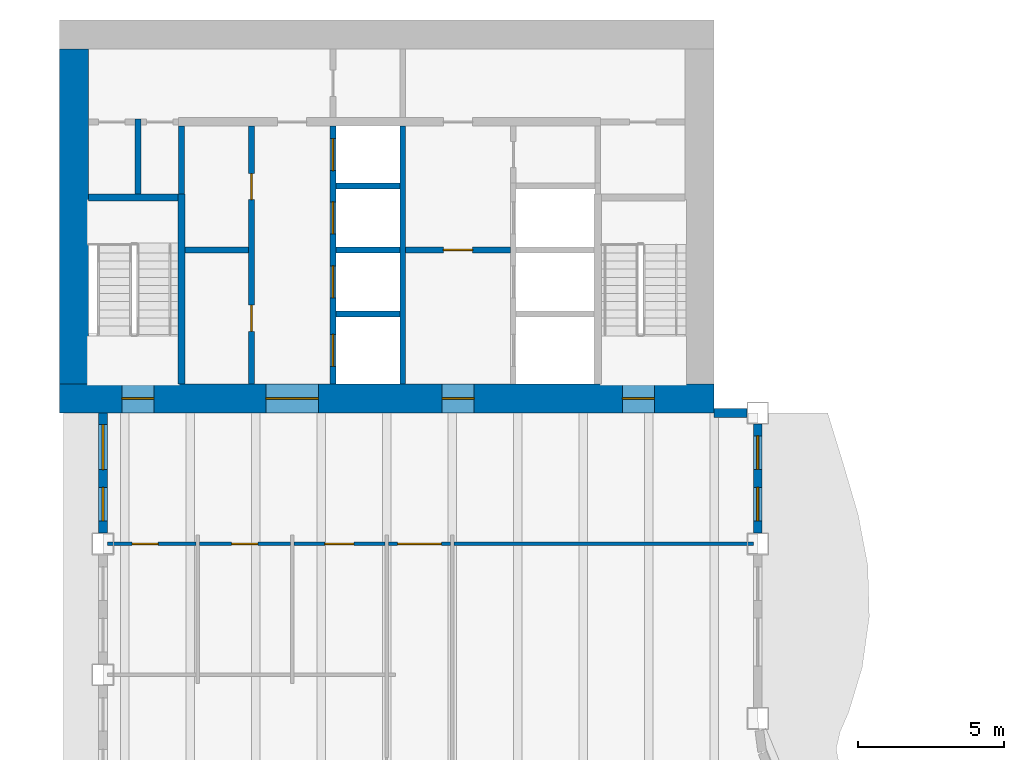
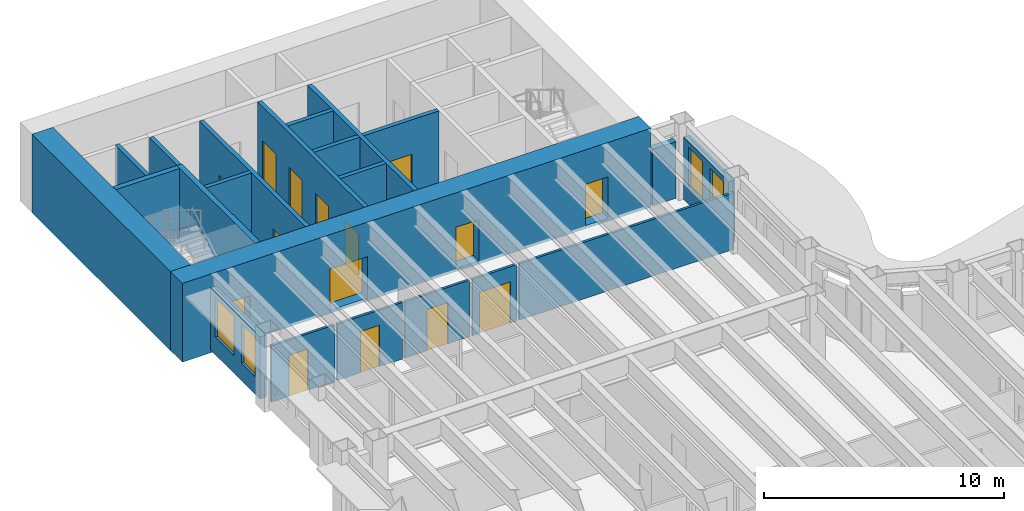
# One storey, part 8 of 16: 22 walls, 15 doors, 4 windows, 19 openings.
"""IFC4 building model written with IfcOpenShell, lengths in metres."""

from ifc_helpers import new_model, si_unit, direction, frame, frame_2d, origin, place, context, subcontext, project, spatial, rectangle, extrude, material, layer, layer_set, type_object, element, fill, save


model = new_model("IFC4")

# Units and contexts
model_context = context("Model", 3, precision=1e-05, world=origin(), true_north=direction((0.0, 1.0)))
body_context = subcontext(model_context, "Body", "Model", "MODEL_VIEW")
ifc_project = project(units=[si_unit("LENGTHUNIT", "METRE"), si_unit("AREAUNIT", "SQUARE_METRE"), si_unit("VOLUMEUNIT", "CUBIC_METRE"), si_unit("PLANEANGLEUNIT", "RADIAN"), si_unit("MASSUNIT", "GRAM", prefix="KILO")], contexts=[model_context])

# Site, building, storey
site_placement = place(None, origin())
site = spatial("IfcSite", under=ifc_project, at=site_placement, CompositionType="ELEMENT")
building_placement = place(site_placement, origin())
building = spatial("IfcBuilding", under=site, at=building_placement, Name="Sennacour Bend Tower", CompositionType="ELEMENT")
storey_placement = place(building_placement, frame((0.0, 0.0, 207.0)))
storey = spatial("IfcBuildingStorey", under=building, at=storey_placement, Name="L47", CompositionType="ELEMENT", Elevation=207.0)

# Wall, openings, doors
ifc_material_1 = material(Name="Concrete C60/75", Category="concrete")
ifc_layer_1 = layer(ifc_material_1, 1.0, Name="Concrete C60/75", Category="concrete")
ifc_layer_set_1 = layer_set([ifc_layer_1], Name="Concrete C60/75")
wall_type_1 = type_object("IfcWallType", Name="Core wall 1000 C60/75", PredefinedType="SHEAR", material=ifc_layer_set_1)
wall_1_placement = place(storey_placement, frame((0.0, 36.5, -0.14990234375), z_axis=(0.0, 0.0, 1.0), x_axis=(1.0, 0.0, 0.0)))
wall_1 = element("IfcWall", 1, at=wall_1_placement, inside=storey, type_object=wall_type_1, Name="Core B wall L47 S", PredefinedType="SHEAR", context=body_context, shape_type="SweptSolid", body=[
    extrude(rectangle(XDim=22.5, YDim=1.0, at=frame_2d((11.25, 0.0))), origin(), (0.0, 0.0, 1.0), 4.0),
])
opening_1_placement = place(wall_1_placement, frame((7.10009765625, 0.0, 0.14990234375)))
opening_1 = element("IfcOpeningElement", 2, at=opening_1_placement, cuts=wall_1, Name="Opening CD", PredefinedType="OPENING", context=body_context, shape_type="SweptSolid", body=[
    extrude(rectangle(XDim=1.800048828125, YDim=2.10009765625, at=frame_2d((0.89990234375, 1.050048828125))), frame((0.0, 0.510009765625, 0.0), z_axis=(0.0, -1.0, 0.0), x_axis=(1.0, 0.0, 0.0)), (0.0, 0.0, 1.0), 1.02001953125),
])
opening_2_placement = place(wall_1_placement, frame((13.14990234375, 0.0, 0.14990234375)))
opening_2 = element("IfcOpeningElement", 3, at=opening_2_placement, cuts=wall_1, Name="Opening FD", PredefinedType="OPENING", context=body_context, shape_type="SweptSolid", body=[
    extrude(rectangle(XDim=1.10009765625, YDim=2.10009765625, at=frame_2d((0.550048828125, 1.050048828125))), frame((0.0, 0.510009765625, 0.0), z_axis=(0.0, -1.0, 0.0), x_axis=(1.0, 0.0, 0.0)), (0.0, 0.0, 1.0), 1.02001953125),
])
opening_3_placement = place(wall_1_placement, frame((2.14990234375, 0.0, 0.14990234375)))
opening_3 = element("IfcOpeningElement", 4, at=opening_3_placement, cuts=wall_1, Name="Opening SD", PredefinedType="OPENING", context=body_context, shape_type="SweptSolid", body=[
    extrude(rectangle(XDim=1.10009765625, YDim=2.10009765625, at=frame_2d((0.550048828125, 1.050048828125))), frame((0.0, 0.510009765625, 0.0), z_axis=(0.0, -1.0, 0.0), x_axis=(1.0, 0.0, 0.0)), (0.0, 0.0, 1.0), 1.02001953125),
])
opening_4_placement = place(wall_1_placement, frame((19.35009765625, 0.0, 0.14990234375)))
opening_4 = element("IfcOpeningElement", 5, at=opening_4_placement, cuts=wall_1, Name="Opening SD", PredefinedType="OPENING", context=body_context, shape_type="SweptSolid", body=[
    extrude(rectangle(XDim=1.10009765625, YDim=2.10009765625, at=frame_2d((0.550048828125, 1.050048828125))), frame((0.0, 0.510009765625, 0.0), z_axis=(0.0, -1.0, 0.0), x_axis=(1.0, 0.0, 0.0)), (0.0, 0.0, 1.0), 1.02001953125),
])
ifc_material_2 = material(Name="Painted steel", Category="steel")
door_type_1 = type_object("IfcDoorType", Name="DR-FFL-1100", OperationType="NOTDEFINED", PredefinedType="DOOR", material=ifc_material_2)
door_1_placement = place(opening_2_placement, origin())
door_1 = element("IfcDoor", 6, at=door_1_placement, inside=storey, type_object=door_type_1, Name="Door", OperationType="SINGLE_SWING_RIGHT", OverallHeight=2.10009765625, OverallWidth=1.10009765625, PredefinedType="DOOR", context=body_context, shape_type="SweptSolid", body=[
    extrude(rectangle(XDim=1.10009765625, YDim=2.10009765625, at=frame_2d((0.550048828125, 1.050048828125))), frame((0.0, 0.02490234375, 0.0), z_axis=(0.0, -1.0, 0.0), x_axis=(1.0, 0.0, 0.0)), (0.0, 0.0, 1.0), 0.050048828125),
])
fill(opening_2, door_1)
door_type_2 = type_object("IfcDoorType", Name="DR-LOBBY-1800", OperationType="NOTDEFINED", PredefinedType="DOOR", material=ifc_material_2)
door_2_placement = place(opening_1_placement, origin())
door_2 = element("IfcDoor", 7, at=door_2_placement, inside=storey, type_object=door_type_2, Name="Door", OperationType="DOUBLE_DOOR_SINGLE_SWING", OverallHeight=2.10009765625, OverallWidth=1.800048828125, PredefinedType="DOOR", context=body_context, shape_type="SweptSolid", body=[
    extrude(rectangle(XDim=1.800048828125, YDim=2.10009765625, at=frame_2d((0.89990234375, 1.050048828125))), frame((0.0, 0.02490234375, 0.0), z_axis=(0.0, -1.0, 0.0), x_axis=(1.0, 0.0, 0.0)), (0.0, 0.0, 1.0), 0.050048828125),
])
fill(opening_1, door_2)
door_type_3 = type_object("IfcDoorType", Name="DR-STAIR-1100", OperationType="NOTDEFINED", PredefinedType="DOOR", material=ifc_material_2)
door_3_placement = place(opening_3_placement, origin())
door_3 = element("IfcDoor", 8, at=door_3_placement, inside=storey, type_object=door_type_3, Name="Door", OperationType="SINGLE_SWING_LEFT", OverallHeight=2.10009765625, OverallWidth=1.10009765625, PredefinedType="DOOR", context=body_context, shape_type="SweptSolid", body=[
    extrude(rectangle(XDim=1.10009765625, YDim=2.10009765625, at=frame_2d((0.550048828125, 1.050048828125))), frame((0.0, 0.02490234375, 0.0), z_axis=(0.0, -1.0, 0.0), x_axis=(1.0, 0.0, 0.0)), (0.0, 0.0, 1.0), 0.050048828125),
])
fill(opening_3, door_3)
door_4_placement = place(opening_4_placement, origin())
door_4 = element("IfcDoor", 9, at=door_4_placement, inside=storey, type_object=door_type_3, Name="Door", OperationType="SINGLE_SWING_RIGHT", OverallHeight=2.10009765625, OverallWidth=1.10009765625, PredefinedType="DOOR", context=body_context, shape_type="SweptSolid", body=[
    extrude(rectangle(XDim=1.10009765625, YDim=2.10009765625, at=frame_2d((0.550048828125, 1.050048828125))), frame((0.0, 0.02490234375, 0.0), z_axis=(0.0, -1.0, 0.0), x_axis=(1.0, 0.0, 0.0)), (0.0, 0.0, 1.0), 0.050048828125),
])
fill(opening_4, door_4)

# Wall
wall_2_placement = place(storey_placement, frame((0.5, 37.0, -0.14990234375), z_axis=(0.0, 0.0, 1.0), x_axis=(0.0, 1.0, 0.0)))
element("IfcWall", 10, at=wall_2_placement, inside=storey, type_object=wall_type_1, Name="Core B wall L47 W", PredefinedType="SHEAR", context=body_context, shape_type="SweptSolid", body=[
    extrude(rectangle(XDim=11.5, YDim=1.0, at=frame_2d((5.75, 0.0))), origin(), (0.0, 0.0, 1.0), 4.0),
])

# Wall, opening, door
ifc_material_3 = material(Name="Plasterboard partition on steel studs", Category="steel")
ifc_layer_2 = layer(ifc_material_3, 0.1201171875, Name="Plasterboard partition on steel studs", Category="steel")
ifc_layer_set_2 = layer_set([ifc_layer_2], Name="Plasterboard partition on steel studs")
wall_type_2 = type_object("IfcWallType", Name="Partition 120", PredefinedType="PARTITIONING", material=ifc_layer_set_2)
wall_3_placement = place(storey_placement, frame((1.64990234375, 31.5, 0.0), z_axis=(0.0, 0.0, 1.0), x_axis=(1.0, 0.0, 0.0)))
wall_3 = element("IfcWall", 11, at=wall_3_placement, inside=storey, type_object=wall_type_2, Name="P-L47-W081aa", PredefinedType="PARTITIONING", context=body_context, shape_type="SweptSolid", body=[
    extrude(rectangle(XDim=3.0400390625, YDim=0.1201171875, at=frame_2d((1.52001953125, 0.0))), origin(), (0.0, 0.0, 1.0), 2.8701171875),
])
opening_5_placement = place(wall_3_placement, frame((0.85009765625, 0.0, 0.0)))
opening_5 = element("IfcOpeningElement", 12, at=opening_5_placement, cuts=wall_3, Name="Opening WD", PredefinedType="OPENING", context=body_context, shape_type="SweptSolid", body=[
    extrude(rectangle(XDim=0.89990234375, YDim=2.10009765625, at=frame_2d((0.449951171875, 1.050048828125))), frame((0.0, 0.070068359375, 0.0), z_axis=(0.0, -1.0, 0.0), x_axis=(1.0, 0.0, 0.0)), (0.0, 0.0, 1.0), 0.14013671875),
])
ifc_material_4 = material(Name="Timber", Category="wood")
door_type_4 = type_object("IfcDoorType", Name="DR-WC-900", OperationType="NOTDEFINED", PredefinedType="DOOR", material=ifc_material_4)
door_5_placement = place(opening_5_placement, origin())
door_5 = element("IfcDoor", 13, at=door_5_placement, inside=storey, type_object=door_type_4, Name="Door", OperationType="SINGLE_SWING_LEFT", OverallHeight=2.10009765625, OverallWidth=0.89990234375, PredefinedType="DOOR", context=body_context, shape_type="SweptSolid", body=[
    extrude(rectangle(XDim=0.89990234375, YDim=2.10009765625, at=frame_2d((0.449951171875, 1.050048828125))), frame((0.0, 0.02490234375, 0.0), z_axis=(0.0, -1.0, 0.0), x_axis=(1.0, 0.0, 0.0)), (0.0, 0.0, 1.0), 0.050048828125),
])
fill(opening_5, door_5)

wall_4_placement = place(storey_placement, frame((4.81005859375, 31.5, 0.0), z_axis=(0.0, 0.0, 1.0), x_axis=(1.0, 0.0, 0.0)))
wall_4 = element("IfcWall", 14, at=wall_4_placement, inside=storey, type_object=wall_type_2, Name="P-L47-W081ab", PredefinedType="PARTITIONING", context=body_context, shape_type="SweptSolid", body=[
    extrude(rectangle(XDim=3.1298828125, YDim=0.1201171875, at=frame_2d((1.56494140625, 0.0))), origin(), (0.0, 0.0, 1.0), 2.8701171875),
])
opening_6_placement = place(wall_4_placement, frame((1.114990234375, 0.0, 0.0)))
opening_6 = element("IfcOpeningElement", 15, at=opening_6_placement, cuts=wall_4, Name="Opening WD", PredefinedType="OPENING", context=body_context, shape_type="SweptSolid", body=[
    extrude(rectangle(XDim=0.89990234375, YDim=2.10009765625, at=frame_2d((0.449951171875, 1.050048828125))), frame((0.0, 0.070068359375, 0.0), z_axis=(0.0, -1.0, 0.0), x_axis=(1.0, 0.0, 0.0)), (0.0, 0.0, 1.0), 0.14013671875),
])
door_6_placement = place(opening_6_placement, origin())
door_6 = element("IfcDoor", 16, at=door_6_placement, inside=storey, type_object=door_type_4, Name="Door", OperationType="SINGLE_SWING_LEFT", OverallHeight=2.10009765625, OverallWidth=0.89990234375, PredefinedType="DOOR", context=body_context, shape_type="SweptSolid", body=[
    extrude(rectangle(XDim=0.89990234375, YDim=2.10009765625, at=frame_2d((0.449951171875, 1.050048828125))), frame((0.0, 0.02490234375, 0.0), z_axis=(0.0, -1.0, 0.0), x_axis=(1.0, 0.0, 0.0)), (0.0, 0.0, 1.0), 0.050048828125),
])
fill(opening_6, door_6)

wall_5_placement = place(storey_placement, frame((8.06005859375, 31.5, 0.0), z_axis=(0.0, 0.0, 1.0), x_axis=(1.0, 0.0, 0.0)))
wall_5 = element("IfcWall", 17, at=wall_5_placement, inside=storey, type_object=wall_type_2, Name="P-L47-W081ac", PredefinedType="PARTITIONING", context=body_context, shape_type="SweptSolid", body=[
    extrude(rectangle(XDim=3.1298828125, YDim=0.1201171875, at=frame_2d((1.56494140625, 0.0))), origin(), (0.0, 0.0, 1.0), 2.8701171875),
])
opening_7_placement = place(wall_5_placement, frame((1.06494140625, 0.0, 0.0)))
opening_7 = element("IfcOpeningElement", 18, at=opening_7_placement, cuts=wall_5, Name="Opening AD", PredefinedType="OPENING", context=body_context, shape_type="SweptSolid", body=[
    extrude(rectangle(XDim=1.0, YDim=2.10009765625, at=frame_2d((0.5, 1.050048828125))), frame((0.0, 0.070068359375, 0.0), z_axis=(0.0, -1.0, 0.0), x_axis=(1.0, 0.0, 0.0)), (0.0, 0.0, 1.0), 0.14013671875),
])
door_type_5 = type_object("IfcDoorType", Name="DR-ACC-WC-1000", OperationType="NOTDEFINED", PredefinedType="DOOR", material=ifc_material_4)
door_7_placement = place(opening_7_placement, origin())
door_7 = element("IfcDoor", 19, at=door_7_placement, inside=storey, type_object=door_type_5, Name="Door", OperationType="SINGLE_SWING_LEFT", OverallHeight=2.10009765625, OverallWidth=1.0, PredefinedType="DOOR", context=body_context, shape_type="SweptSolid", body=[
    extrude(rectangle(XDim=1.0, YDim=2.10009765625, at=frame_2d((0.5, 1.050048828125))), frame((0.0, 0.02490234375, 0.0), z_axis=(0.0, -1.0, 0.0), x_axis=(1.0, 0.0, 0.0)), (0.0, 0.0, 1.0), 0.050048828125),
])
fill(opening_7, door_7)

# Wall
wall_6_placement = place(storey_placement, frame((13.56005859375, 31.5, 0.0), z_axis=(0.0, 0.0, 1.0), x_axis=(1.0, 0.0, 0.0)))
element("IfcWall", 20, at=wall_6_placement, inside=storey, type_object=wall_type_2, Name="P-L47-W081ae", PredefinedType="PARTITIONING", context=body_context, shape_type="SweptSolid", body=[
    extrude(rectangle(XDim=10.2900390625, YDim=0.1201171875, at=frame_2d((5.14501953125, 0.0))), origin(), (0.0, 0.0, 1.0), 2.8701171875),
])

# Wall, opening, door
ifc_layer_3 = layer(ifc_material_3, 0.1201171875, Name="Plasterboard partition on steel studs", Category="steel")
ifc_layer_set_3 = layer_set([ifc_layer_3], Name="Plasterboard partition on steel studs")
wall_type_3 = type_object("IfcWallType", Name="Partition 120 EI 30", PredefinedType="PARTITIONING", material=ifc_layer_set_3)
wall_7_placement = place(storey_placement, frame((11.31005859375, 31.5, 0.0), z_axis=(0.0, 0.0, 1.0), x_axis=(1.0, 0.0, 0.0)))
wall_7 = element("IfcWall", 21, at=wall_7_placement, inside=storey, type_object=wall_type_3, Name="P-L47-W081ad", PredefinedType="PARTITIONING", context=body_context, shape_type="SweptSolid", body=[
    extrude(rectangle(XDim=2.1298828125, YDim=0.1201171875, at=frame_2d((1.06494140625, 0.0))), origin(), (0.0, 0.0, 1.0), 2.8701171875),
])
opening_8_placement = place(wall_7_placement, frame((0.31494140625, 0.0, 0.0)))
opening_8 = element("IfcOpeningElement", 22, at=opening_8_placement, cuts=wall_7, Name="Opening KD", PredefinedType="OPENING", context=body_context, shape_type="SweptSolid", body=[
    extrude(rectangle(XDim=1.5, YDim=2.10009765625, at=frame_2d((0.75, 1.050048828125))), frame((0.0, 0.070068359375, 0.0), z_axis=(0.0, -1.0, 0.0), x_axis=(1.0, 0.0, 0.0)), (0.0, 0.0, 1.0), 0.14013671875),
])
door_type_6 = type_object("IfcDoorType", Name="DR-CORRIDOR-1500", OperationType="NOTDEFINED", PredefinedType="DOOR", material=ifc_material_2)
door_8_placement = place(opening_8_placement, origin())
door_8 = element("IfcDoor", 23, at=door_8_placement, inside=storey, type_object=door_type_6, Name="Door", OperationType="SINGLE_SWING_LEFT", OverallHeight=2.10009765625, OverallWidth=1.5, PredefinedType="DOOR", context=body_context, shape_type="SweptSolid", body=[
    extrude(rectangle(XDim=1.5, YDim=2.10009765625, at=frame_2d((0.75, 1.050048828125))), frame((0.0, 0.02490234375, 0.0), z_axis=(0.0, -1.0, 0.0), x_axis=(1.0, 0.0, 0.0)), (0.0, 0.0, 1.0), 0.050048828125),
])
fill(opening_8, door_8)

# Walls
ifc_material_5 = material(Name="Fire-rated plasterboard partition on steel studs", Category="steel")
ifc_layer_4 = layer(ifc_material_5, 0.199951171875, Name="Fire-rated plasterboard partition on steel studs", Category="steel")
ifc_layer_set_4 = layer_set([ifc_layer_4], Name="Fire-rated plasterboard partition on steel studs")
wall_type_4 = type_object("IfcWallType", Name="Rated partition 200", PredefinedType="PARTITIONING", material=ifc_layer_set_4)
wall_8_placement = place(storey_placement, frame((2.699951171875, 43.52490234375, 0.0), z_axis=(0.0, 0.0, 1.0), x_axis=(0.0, 1.0, 0.0)))
element("IfcWall", 24, at=wall_8_placement, inside=storey, type_object=wall_type_4, Name="P-L47-W004", PredefinedType="PARTITIONING", context=body_context, shape_type="SweptSolid", body=[
    extrude(rectangle(XDim=2.5751953125, YDim=0.199951171875, at=frame_2d((1.28759765625, 0.0))), origin(), (0.0, 0.0, 1.0), 3.85009765625),
])
wall_9_placement = place(storey_placement, frame((4.199951171875, 43.52490234375, 0.0), z_axis=(0.0, 0.0, 1.0), x_axis=(0.0, 1.0, 0.0)))
element("IfcWall", 25, at=wall_9_placement, inside=storey, type_object=wall_type_4, Name="P-L47-W006", PredefinedType="PARTITIONING", context=body_context, shape_type="SweptSolid", body=[
    extrude(rectangle(XDim=2.3251953125, YDim=0.199951171875, at=frame_2d((1.16259765625, 0.0))), origin(), (0.0, 0.0, 1.0), 3.85009765625),
])

# Wall, openings, doors
wall_10_placement = place(storey_placement, frame((6.60009765625, 37.0, 0.0), z_axis=(0.0, 0.0, 1.0), x_axis=(0.0, 1.0, 0.0)))
wall_10 = element("IfcWall", 26, at=wall_10_placement, inside=storey, type_object=wall_type_4, Name="P-L47-W008", PredefinedType="PARTITIONING", context=body_context, shape_type="SweptSolid", body=[
    extrude(rectangle(XDim=8.85009765625, YDim=0.199951171875, at=frame_2d((4.425048828125, 0.0))), origin(), (0.0, 0.0, 1.0), 3.85009765625),
])
opening_9_placement = place(wall_10_placement, frame((1.800048828125, 0.0, 0.0)))
opening_9 = element("IfcOpeningElement", 27, at=opening_9_placement, cuts=wall_10, Name="Opening SV", PredefinedType="OPENING", context=body_context, shape_type="SweptSolid", body=[
    extrude(rectangle(XDim=0.89990234375, YDim=2.10009765625, at=frame_2d((0.449951171875, 1.050048828125))), frame((0.0, 0.10986328125, 0.0), z_axis=(0.0, -1.0, 0.0), x_axis=(1.0, 0.0, 0.0)), (0.0, 0.0, 1.0), 0.219970703125),
])
opening_10_placement = place(wall_10_placement, frame((6.324951171875, 0.0, 0.0)))
opening_10 = element("IfcOpeningElement", 28, at=opening_10_placement, cuts=wall_10, Name="Opening SV", PredefinedType="OPENING", context=body_context, shape_type="SweptSolid", body=[
    extrude(rectangle(XDim=0.89990234375, YDim=2.10009765625, at=frame_2d((0.449951171875, 1.050048828125))), frame((0.0, 0.10986328125, 0.0), z_axis=(0.0, -1.0, 0.0), x_axis=(1.0, 0.0, 0.0)), (0.0, 0.0, 1.0), 0.219970703125),
])
door_type_7 = type_object("IfcDoorType", Name="DR-SERVICE-900", OperationType="NOTDEFINED", PredefinedType="DOOR", material=ifc_material_2)
door_9_placement = place(opening_9_placement, origin())
door_9 = element("IfcDoor", 29, at=door_9_placement, inside=storey, type_object=door_type_7, Name="Door", OperationType="SINGLE_SWING_LEFT", OverallHeight=2.10009765625, OverallWidth=0.89990234375, PredefinedType="DOOR", context=body_context, shape_type="SweptSolid", body=[
    extrude(rectangle(XDim=0.89990234375, YDim=2.10009765625, at=frame_2d((0.449951171875, 1.050048828125))), frame((0.0, 0.02490234375, 0.0), z_axis=(0.0, -1.0, 0.0), x_axis=(1.0, 0.0, 0.0)), (0.0, 0.0, 1.0), 0.050048828125),
])
fill(opening_9, door_9)
door_10_placement = place(opening_10_placement, origin())
door_10 = element("IfcDoor", 30, at=door_10_placement, inside=storey, type_object=door_type_7, Name="Door", OperationType="SINGLE_SWING_RIGHT", OverallHeight=2.10009765625, OverallWidth=0.89990234375, PredefinedType="DOOR", context=body_context, shape_type="SweptSolid", body=[
    extrude(rectangle(XDim=0.89990234375, YDim=2.10009765625, at=frame_2d((0.449951171875, 1.050048828125))), frame((0.0, 0.02490234375, 0.0), z_axis=(0.0, -1.0, 0.0), x_axis=(1.0, 0.0, 0.0)), (0.0, 0.0, 1.0), 0.050048828125),
])
fill(opening_10, door_10)

# Wall
wall_11_placement = place(storey_placement, frame((4.324951171875, 41.60009765625, 0.0), z_axis=(0.0, 0.0, 1.0), x_axis=(1.0, 0.0, 0.0)))
element("IfcWall", 31, at=wall_11_placement, inside=storey, type_object=wall_type_4, Name="P-L47-W085", PredefinedType="PARTITIONING", context=body_context, shape_type="SweptSolid", body=[
    extrude(rectangle(XDim=2.175048828125, YDim=0.199951171875, at=frame_2d((1.08740234375, 0.0))), origin(), (0.0, 0.0, 1.0), 3.85009765625),
])

# Wall, opening, door
ifc_layer_5 = layer(ifc_material_5, 0.199951171875, Name="Fire-rated plasterboard partition on steel studs", Category="steel")
ifc_layer_set_5 = layer_set([ifc_layer_5], Name="Fire-rated plasterboard partition on steel studs")
wall_type_5 = type_object("IfcWallType", Name="Rated partition 200 EI 90", PredefinedType="PARTITIONING", material=ifc_layer_set_5)
wall_12_placement = place(storey_placement, frame((11.89990234375, 41.60009765625, 0.0), z_axis=(0.0, 0.0, 1.0), x_axis=(1.0, 0.0, 0.0)))
wall_12 = element("IfcWall", 32, at=wall_12_placement, inside=storey, type_object=wall_type_5, Name="P-L47-W087", PredefinedType="PARTITIONING", context=body_context, shape_type="SweptSolid", body=[
    extrude(rectangle(XDim=3.60009765625, YDim=0.199951171875, at=frame_2d((1.800048828125, 0.0))), origin(), (0.0, 0.0, 1.0), 3.85009765625),
])
opening_11_placement = place(wall_12_placement, frame((1.300048828125, 0.0, 0.0)))
opening_11 = element("IfcOpeningElement", 33, at=opening_11_placement, cuts=wall_12, Name="Opening FD2", PredefinedType="OPENING", context=body_context, shape_type="SweptSolid", body=[
    extrude(rectangle(XDim=1.0, YDim=2.10009765625, at=frame_2d((0.5, 1.050048828125))), frame((0.0, 0.10986328125, 0.0), z_axis=(0.0, -1.0, 0.0), x_axis=(1.0, 0.0, 0.0)), (0.0, 0.0, 1.0), 0.219970703125),
])
door_type_8 = type_object("IfcDoorType", Name="DR-FFL-1000", OperationType="NOTDEFINED", PredefinedType="DOOR", material=ifc_material_2)
door_11_placement = place(opening_11_placement, origin())
door_11 = element("IfcDoor", 34, at=door_11_placement, inside=storey, type_object=door_type_8, Name="Door", OperationType="SINGLE_SWING_RIGHT", OverallHeight=2.10009765625, OverallWidth=1.0, PredefinedType="DOOR", context=body_context, shape_type="SweptSolid", body=[
    extrude(rectangle(XDim=1.0, YDim=2.10009765625, at=frame_2d((0.5, 1.050048828125))), frame((0.0, 0.02490234375, 0.0), z_axis=(0.0, -1.0, 0.0), x_axis=(1.0, 0.0, 0.0)), (0.0, 0.0, 1.0), 0.050048828125),
])
fill(opening_11, door_11)

# Wall, openings, windows
ifc_material_6 = material(Name="Warm limestone cladding", Category="masonry")
ifc_layer_6 = layer(ifc_material_6, 0.050048828125, Name="Warm limestone cladding", Category="masonry")
ifc_material_7 = material(Name="Precast concrete C40/50", Category="concrete")
ifc_layer_7 = layer(ifc_material_7, 0.25, Name="Precast concrete C40/50", Category="concrete")
ifc_layer_set_6 = layer_set([ifc_layer_6, ifc_layer_7], Name="Precast concrete C40/50 with limestone cladding")
wall_type_6 = type_object("IfcWallType", Name="STONE-CLAD PRECAST SPANDREL 300", PredefinedType="STANDARD", material=ifc_layer_set_6)
wall_13_placement = place(storey_placement, frame((24.0, 31.875, 0.0), z_axis=(0.0, 0.0, 1.0), x_axis=(0.0, 1.0, 0.0)))
wall_13 = element("IfcWall", 35, at=wall_13_placement, inside=storey, type_object=wall_type_6, Name="Stone spandrel and pier wall L47 13.01", PredefinedType="STANDARD", context=body_context, shape_type="SweptSolid", body=[
    extrude(rectangle(XDim=3.75, YDim=0.300048828125, at=frame_2d((1.875, 0.0))), origin(), (0.0, 0.0, 1.0), 3.156982421875),
])
opening_12_placement = place(wall_13_placement, frame((0.41259765625, 0.0, 0.89990234375)))
opening_12 = element("IfcOpeningElement", 36, at=opening_12_placement, cuts=wall_13, Name="Opening W24", PredefinedType="OPENING", context=body_context, shape_type="SweptSolid", body=[
    extrude(rectangle(XDim=1.14990234375, YDim=2.0, at=frame_2d((0.574951171875, 1.0))), frame((0.0, 0.16015625, 0.0), z_axis=(0.0, -1.0, 0.0), x_axis=(1.0, 0.0, 0.0)), (0.0, 0.0, 1.0), 0.320068359375),
])
opening_13_placement = place(wall_13_placement, frame((2.1875, 0.0, 0.89990234375)))
opening_13 = element("IfcOpeningElement", 37, at=opening_13_placement, cuts=wall_13, Name="Opening W24", PredefinedType="OPENING", context=body_context, shape_type="SweptSolid", body=[
    extrude(rectangle(XDim=1.14990234375, YDim=2.0, at=frame_2d((0.574951171875, 1.0))), frame((0.0, 0.16015625, 0.0), z_axis=(0.0, -1.0, 0.0), x_axis=(1.0, 0.0, 0.0)), (0.0, 0.0, 1.0), 0.320068359375),
])
ifc_material_8 = material(Name="Clear low-emissivity glass", Category="glass")
window_type_1 = type_object("IfcWindowType", Name="WIN-RIBBON-1150x2000", PartitioningType="SINGLE_PANEL", PredefinedType="WINDOW", material=ifc_material_8)
window_1_placement = place(opening_12_placement, origin())
window_1 = element("IfcWindow", 38, at=window_1_placement, inside=storey, type_object=window_type_1, Name="Ribbon window L47 13.01.0", OverallHeight=2.0, OverallWidth=1.14990234375, PartitioningType="SINGLE_PANEL", PredefinedType="WINDOW", context=body_context, shape_type="SweptSolid", body=[
    extrude(rectangle(XDim=1.14990234375, YDim=2.0, at=frame_2d((0.574951171875, 1.0))), frame((0.0, 0.030029296875, 0.0), z_axis=(0.0, -1.0, 0.0), x_axis=(1.0, 0.0, 0.0)), (0.0, 0.0, 1.0), 0.06005859375),
])
fill(opening_12, window_1)
window_2_placement = place(opening_13_placement, origin())
window_2 = element("IfcWindow", 39, at=window_2_placement, inside=storey, type_object=window_type_1, Name="Ribbon window L47 13.01.1", OverallHeight=2.0, OverallWidth=1.14990234375, PartitioningType="SINGLE_PANEL", PredefinedType="WINDOW", context=body_context, shape_type="SweptSolid", body=[
    extrude(rectangle(XDim=1.14990234375, YDim=2.0, at=frame_2d((0.574951171875, 1.0))), frame((0.0, 0.030029296875, 0.0), z_axis=(0.0, -1.0, 0.0), x_axis=(1.0, 0.0, 0.0)), (0.0, 0.0, 1.0), 0.06005859375),
])
fill(opening_13, window_2)

# Wall
wall_14_placement = place(storey_placement, frame((23.625, 36.0, 0.0), z_axis=(0.0, 0.0, 1.0), x_axis=(-1.0, 0.0, 0.0)))
element("IfcWall", 40, at=wall_14_placement, inside=storey, type_object=wall_type_6, Name="Stone spandrel and pier wall L47 14.00", PredefinedType="STANDARD", context=body_context, shape_type="SweptSolid", body=[
    extrude(rectangle(XDim=1.125, YDim=0.300048828125, at=frame_2d((0.5625, 0.0))), origin(), (0.0, 0.0, 1.0), 2.8701171875),
])

# Wall, openings, windows
wall_15_placement = place(storey_placement, frame((1.5, 36.0, 0.0), z_axis=(0.0, 0.0, 1.0), x_axis=(0.0, -1.0, 0.0)))
wall_15 = element("IfcWall", 41, at=wall_15_placement, inside=storey, type_object=wall_type_6, Name="Stone spandrel and pier wall L47 19.00", PredefinedType="STANDARD", context=body_context, shape_type="SweptSolid", body=[
    extrude(rectangle(XDim=4.125, YDim=0.300048828125, at=frame_2d((2.0625, 0.0))), origin(), (0.0, 0.0, 1.0), 3.156982421875),
])
opening_14_placement = place(wall_15_placement, frame((0.39990234375, 0.0, 0.89990234375)))
opening_14 = element("IfcOpeningElement", 42, at=opening_14_placement, cuts=wall_15, Name="Opening W9", PredefinedType="OPENING", context=body_context, shape_type="SweptSolid", body=[
    extrude(rectangle(XDim=1.550048828125, YDim=2.0, at=frame_2d((0.77490234375, 1.0))), frame((0.0, 0.16015625, 0.0), z_axis=(0.0, -1.0, 0.0), x_axis=(1.0, 0.0, 0.0)), (0.0, 0.0, 1.0), 0.320068359375),
])
opening_15_placement = place(wall_15_placement, frame((2.5625, 0.0, 0.89990234375)))
opening_15 = element("IfcOpeningElement", 43, at=opening_15_placement, cuts=wall_15, Name="Opening W24", PredefinedType="OPENING", context=body_context, shape_type="SweptSolid", body=[
    extrude(rectangle(XDim=1.14990234375, YDim=2.0, at=frame_2d((0.574951171875, 1.0))), frame((0.0, 0.16015625, 0.0), z_axis=(0.0, -1.0, 0.0), x_axis=(1.0, 0.0, 0.0)), (0.0, 0.0, 1.0), 0.320068359375),
])
window_3_placement = place(opening_15_placement, origin())
window_3 = element("IfcWindow", 44, at=window_3_placement, inside=storey, type_object=window_type_1, Name="Ribbon window L47 19.00.1", OverallHeight=2.0, OverallWidth=1.14990234375, PartitioningType="SINGLE_PANEL", PredefinedType="WINDOW", context=body_context, shape_type="SweptSolid", body=[
    extrude(rectangle(XDim=1.14990234375, YDim=2.0, at=frame_2d((0.574951171875, 1.0))), frame((0.0, 0.030029296875, 0.0), z_axis=(0.0, -1.0, 0.0), x_axis=(1.0, 0.0, 0.0)), (0.0, 0.0, 1.0), 0.06005859375),
])
fill(opening_15, window_3)
window_type_2 = type_object("IfcWindowType", Name="WIN-RIBBON-1550x2000", PartitioningType="SINGLE_PANEL", PredefinedType="WINDOW", material=ifc_material_8)
window_4_placement = place(opening_14_placement, origin())
window_4 = element("IfcWindow", 45, at=window_4_placement, inside=storey, type_object=window_type_2, Name="Ribbon window L47 19.00.0", OverallHeight=2.0, OverallWidth=1.550048828125, PartitioningType="SINGLE_PANEL", PredefinedType="WINDOW", context=body_context, shape_type="SweptSolid", body=[
    extrude(rectangle(XDim=1.550048828125, YDim=2.0, at=frame_2d((0.77490234375, 1.0))), frame((0.0, 0.030029296875, 0.0), z_axis=(0.0, -1.0, 0.0), x_axis=(1.0, 0.0, 0.0)), (0.0, 0.0, 1.0), 0.06005859375),
])
fill(opening_14, window_4)

# Wall, openings, doors
ifc_material_9 = material(Name="Concrete C50/60", Category="concrete")
ifc_layer_8 = layer(ifc_material_9, 0.199951171875, Name="Concrete C50/60", Category="concrete")
ifc_layer_set_7 = layer_set([ifc_layer_8], Name="Concrete C50/60")
wall_type_7 = type_object("IfcWallType", Name="Shaft wall 200", PredefinedType="SOLIDWALL", material=ifc_layer_set_7)
wall_16_placement = place(storey_placement, frame((9.39990234375, 37.0, 0.0), z_axis=(0.0, 0.0, 1.0), x_axis=(0.0, 1.0, 0.0)))
wall_16 = element("IfcWall", 46, at=wall_16_placement, inside=storey, type_object=wall_type_7, Name="P-L47-W013", PredefinedType="SOLIDWALL", context=body_context, shape_type="SweptSolid", body=[
    extrude(rectangle(XDim=8.85009765625, YDim=0.199951171875, at=frame_2d((4.425048828125, 0.0))), origin(), (0.0, 0.0, 1.0), 3.85009765625),
])
opening_16_placement = place(wall_16_placement, frame((0.60009765625, 0.0, 0.011962890625)))
opening_16 = element("IfcOpeningElement", 47, at=opening_16_placement, cuts=wall_16, Name="Opening LD", PredefinedType="OPENING", context=body_context, shape_type="SweptSolid", body=[
    extrude(rectangle(XDim=1.10009765625, YDim=2.10009765625, at=frame_2d((0.550048828125, 1.050048828125))), frame((0.0, 0.10986328125, 0.0), z_axis=(0.0, -1.0, 0.0), x_axis=(1.0, 0.0, 0.0)), (0.0, 0.0, 1.0), 0.219970703125),
])
opening_17_placement = place(wall_16_placement, frame((2.949951171875, 0.0, 0.011962890625)))
opening_17 = element("IfcOpeningElement", 48, at=opening_17_placement, cuts=wall_16, Name="Opening LD", PredefinedType="OPENING", context=body_context, shape_type="SweptSolid", body=[
    extrude(rectangle(XDim=1.10009765625, YDim=2.10009765625, at=frame_2d((0.550048828125, 1.050048828125))), frame((0.0, 0.10986328125, 0.0), z_axis=(0.0, -1.0, 0.0), x_axis=(1.0, 0.0, 0.0)), (0.0, 0.0, 1.0), 0.219970703125),
])
opening_18_placement = place(wall_16_placement, frame((5.14990234375, 0.0, 0.011962890625)))
opening_18 = element("IfcOpeningElement", 49, at=opening_18_placement, cuts=wall_16, Name="Opening LD", PredefinedType="OPENING", context=body_context, shape_type="SweptSolid", body=[
    extrude(rectangle(XDim=1.10009765625, YDim=2.10009765625, at=frame_2d((0.550048828125, 1.050048828125))), frame((0.0, 0.10986328125, 0.0), z_axis=(0.0, -1.0, 0.0), x_axis=(1.0, 0.0, 0.0)), (0.0, 0.0, 1.0), 0.219970703125),
])
opening_19_placement = place(wall_16_placement, frame((7.324951171875, 0.0, 0.011962890625)))
opening_19 = element("IfcOpeningElement", 50, at=opening_19_placement, cuts=wall_16, Name="Opening LD", PredefinedType="OPENING", context=body_context, shape_type="SweptSolid", body=[
    extrude(rectangle(XDim=1.10009765625, YDim=2.10009765625, at=frame_2d((0.550048828125, 1.050048828125))), frame((0.0, 0.10986328125, 0.0), z_axis=(0.0, -1.0, 0.0), x_axis=(1.0, 0.0, 0.0)), (0.0, 0.0, 1.0), 0.219970703125),
])
ifc_material_10 = material(Name="Stainless steel", Category="steel")
door_type_9 = type_object("IfcDoorType", Name="DR-LANDING-1100", OperationType="NOTDEFINED", PredefinedType="DOOR", material=ifc_material_10)
door_12_placement = place(opening_16_placement, origin())
door_12 = element("IfcDoor", 51, at=door_12_placement, inside=storey, type_object=door_type_9, Name="Lift landing door MB1", OperationType="SLIDING_TO_RIGHT", OverallHeight=2.10009765625, OverallWidth=1.10009765625, PredefinedType="DOOR", context=body_context, shape_type="SweptSolid", body=[
    extrude(rectangle(XDim=1.10009765625, YDim=2.10009765625, at=frame_2d((0.550048828125, 1.050048828125))), frame((0.0, 0.02490234375, 0.0), z_axis=(0.0, -1.0, 0.0), x_axis=(1.0, 0.0, 0.0)), (0.0, 0.0, 1.0), 0.050048828125),
])
fill(opening_16, door_12)
door_13_placement = place(opening_17_placement, origin())
door_13 = element("IfcDoor", 52, at=door_13_placement, inside=storey, type_object=door_type_9, Name="Lift landing door MB2", OperationType="SLIDING_TO_LEFT", OverallHeight=2.10009765625, OverallWidth=1.10009765625, PredefinedType="DOOR", context=body_context, shape_type="SweptSolid", body=[
    extrude(rectangle(XDim=1.10009765625, YDim=2.10009765625, at=frame_2d((0.550048828125, 1.050048828125))), frame((0.0, 0.02490234375, 0.0), z_axis=(0.0, -1.0, 0.0), x_axis=(1.0, 0.0, 0.0)), (0.0, 0.0, 1.0), 0.050048828125),
])
fill(opening_17, door_13)
door_14_placement = place(opening_18_placement, origin())
door_14 = element("IfcDoor", 53, at=door_14_placement, inside=storey, type_object=door_type_9, Name="Lift landing door MB3", OperationType="SLIDING_TO_RIGHT", OverallHeight=2.10009765625, OverallWidth=1.10009765625, PredefinedType="DOOR", context=body_context, shape_type="SweptSolid", body=[
    extrude(rectangle(XDim=1.10009765625, YDim=2.10009765625, at=frame_2d((0.550048828125, 1.050048828125))), frame((0.0, 0.02490234375, 0.0), z_axis=(0.0, -1.0, 0.0), x_axis=(1.0, 0.0, 0.0)), (0.0, 0.0, 1.0), 0.050048828125),
])
fill(opening_18, door_14)
door_15_placement = place(opening_19_placement, origin())
door_15 = element("IfcDoor", 54, at=door_15_placement, inside=storey, type_object=door_type_9, Name="Lift landing door MB4", OperationType="SLIDING_TO_LEFT", OverallHeight=2.10009765625, OverallWidth=1.10009765625, PredefinedType="DOOR", context=body_context, shape_type="SweptSolid", body=[
    extrude(rectangle(XDim=1.10009765625, YDim=2.10009765625, at=frame_2d((0.550048828125, 1.050048828125))), frame((0.0, 0.02490234375, 0.0), z_axis=(0.0, -1.0, 0.0), x_axis=(1.0, 0.0, 0.0)), (0.0, 0.0, 1.0), 0.050048828125),
])
fill(opening_19, door_15)

# Walls
wall_17_placement = place(storey_placement, frame((11.800048828125, 37.0, 0.0), z_axis=(0.0, 0.0, 1.0), x_axis=(0.0, 1.0, 0.0)))
element("IfcWall", 55, at=wall_17_placement, inside=storey, type_object=wall_type_7, Name="P-L47-W016", PredefinedType="SOLIDWALL", context=body_context, shape_type="SweptSolid", body=[
    extrude(rectangle(XDim=8.85009765625, YDim=0.199951171875, at=frame_2d((4.425048828125, 0.0))), origin(), (0.0, 0.0, 1.0), 3.85009765625),
])
for number, where, z_axis, x_axis, name in (
    (56, (9.5, 39.39990234375, 0.0), (0.0, 0.0, 1.0), (1.0, 0.0, 0.0), "P-L47-W083"),
    (57, (9.5, 41.60009765625, 0.0), (0.0, 0.0, 1.0), (1.0, 0.0, 0.0), "P-L47-W086"),
    (58, (9.5, 43.800048828125, 0.0), (0.0, 0.0, 1.0), (1.0, 0.0, 0.0), "P-L47-W091"),
):
    element("IfcWall", number, at=place(storey_placement, frame(where, z_axis=z_axis, x_axis=x_axis)), inside=storey, type_object=wall_type_7, Name=name, PredefinedType="SOLIDWALL", context=body_context, shape_type="SweptSolid", body=[
        extrude(rectangle(XDim=2.199951171875, YDim=0.199951171875, at=frame_2d((1.10009765625, 0.0))), origin(), (0.0, 0.0, 1.0), 3.85009765625),
    ])
ifc_layer_9 = layer(ifc_material_1, 0.25, Name="Concrete C60/75", Category="concrete")
ifc_layer_set_8 = layer_set([ifc_layer_9], Name="Concrete C60/75")
wall_type_8 = type_object("IfcWallType", Name="Stair wall 250", PredefinedType="SHEAR", material=ifc_layer_set_8)
wall_18_placement = place(storey_placement, frame((4.199951171875, 37.0, 0.0), z_axis=(0.0, 0.0, 1.0), x_axis=(0.0, 1.0, 0.0)))
element("IfcWall", 59, at=wall_18_placement, inside=storey, type_object=wall_type_8, Name="P-L47-W005", PredefinedType="SHEAR", context=body_context, shape_type="SweptSolid", body=[
    extrude(rectangle(XDim=6.52490234375, YDim=0.25, at=frame_2d((3.262451171875, 0.0))), origin(), (0.0, 0.0, 1.0), 3.85009765625),
])
wall_19_placement = place(storey_placement, frame((1.0, 43.39990234375, 0.0), z_axis=(0.0, 0.0, 1.0), x_axis=(1.0, 0.0, 0.0)))
element("IfcWall", 60, at=wall_19_placement, inside=storey, type_object=wall_type_8, Name="P-L47-W089", PredefinedType="SHEAR", context=body_context, shape_type="SweptSolid", body=[
    extrude(rectangle(XDim=3.074951171875, YDim=0.25, at=frame_2d((1.53759765625, 0.0))), origin(), (0.0, 0.0, 1.0), 3.85009765625),
])

save(model, "model.ifc")
